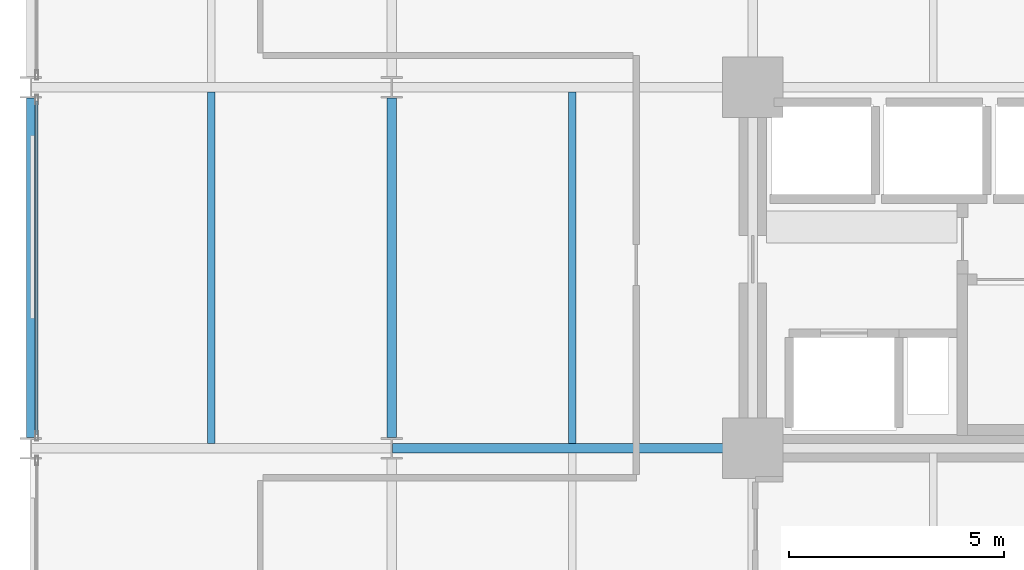
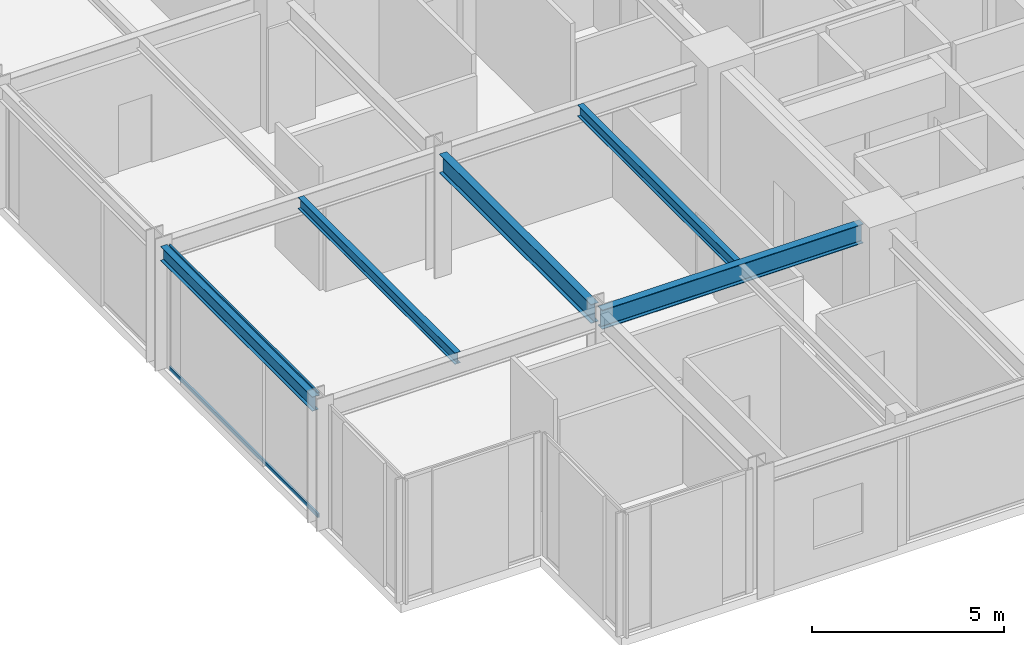
# One storey, part 3 of 24: 5 beams, 2 members, 1 element without a shape of its own.
"""IFC4 building model written with IfcOpenShell, lengths in metres."""

from ifc_helpers import new_model, si_unit, direction, frame, origin, origin_2d, place, context, subcontext, project, spatial, hollow_rectangle, i_section, extrude, material, layer, layer_set, material_profile, profile_set, type_object, element, aggregate, save


model = new_model("IFC4")

# Units and contexts
model_context = context("Model", 3, precision=1e-05, world=origin(), true_north=direction((0.0, 1.0)))
body_context = subcontext(model_context, "Body", "Model", "MODEL_VIEW")
ifc_project = project(units=[si_unit("LENGTHUNIT", "METRE"), si_unit("AREAUNIT", "SQUARE_METRE"), si_unit("VOLUMEUNIT", "CUBIC_METRE"), si_unit("PLANEANGLEUNIT", "RADIAN"), si_unit("MASSUNIT", "GRAM", prefix="KILO")], contexts=[model_context])

# Site, building, storey
site_placement = place(None, origin())
site = spatial("IfcSite", under=ifc_project, at=site_placement, CompositionType="ELEMENT")
building_placement = place(site_placement, origin())
building = spatial("IfcBuilding", under=site, at=building_placement, Name="Nerrivon Quay Data Exchange", CompositionType="ELEMENT")
storey_placement = place(building_placement, frame((0.0, 0.0, 45.800048828125)))
storey = spatial("IfcBuildingStorey", under=building, at=storey_placement, Name="L10", CompositionType="ELEMENT", Elevation=45.800048828125)

# Beams
ifc_material_1 = material(Name="Steel Grade 350", Category="steel")
ifc_material_profile_1 = material_profile(ifc_material_1, i_section(OverallWidth=0.22900390625, OverallDepth=0.612060546875, WebThickness=0.011962890625, FlangeThickness=0.01953125, FilletRadius=0.013916015625, at=origin_2d()), Name="610UB125")
ifc_profile_set_1 = profile_set([ifc_material_profile_1], Name="Steel Grade 350")
beam_type_1 = type_object("IfcBeamType", Name="BM-G1-610UB125", PredefinedType="BEAM", material=ifc_profile_set_1)
beam_1_placement = place(storey_placement, frame((8.4140625, 8.39990234375, 3.618896484375), z_axis=(1.0, 0.0, 0.0), x_axis=(0.0, 1.0, 0.0)))
element("IfcBeam", 1, at=beam_1_placement, inside=storey, type_object=beam_type_1, Name="L10 EW Girder Y=8.4 (8.4..16.8)", PredefinedType="BEAM", context=body_context, shape_type="SweptSolid", body=[
    extrude(i_section(OverallWidth=0.22900390625, OverallDepth=0.612060546875, WebThickness=0.011962890625, FlangeThickness=0.01953125, FilletRadius=0.013916015625, at=origin_2d()), origin(), (0.0, 0.0, 1.0), 7.845947265625),
])
ifc_material_profile_2 = material_profile(ifc_material_1, i_section(OverallWidth=0.22802734375, OverallDepth=0.60205078125, WebThickness=0.010498046875, FlangeThickness=0.014892578125, FilletRadius=0.013916015625, at=origin_2d()), Name="610UB101")
ifc_profile_set_2 = profile_set([ifc_material_profile_2], Name="Steel Grade 350")
beam_type_2 = type_object("IfcBeamType", Name="BM-G2-610UB101", PredefinedType="BEAM", material=ifc_profile_set_2)
beam_2_placement = place(storey_placement, frame((8.39990234375, 8.64990234375, 3.6240234375), z_axis=(0.0, 1.0, 0.0), x_axis=(-1.0, 0.0, 0.0)))
element("IfcBeam", 2, at=beam_2_placement, inside=storey, type_object=beam_type_2, Name="L10 NS Girder X=8.4 (8.4..16.8)", PredefinedType="BEAM", context=body_context, shape_type="SweptSolid", body=[
    extrude(i_section(OverallWidth=0.22802734375, OverallDepth=0.60205078125, WebThickness=0.010498046875, FlangeThickness=0.014892578125, FilletRadius=0.013916015625, at=origin_2d()), origin(), (0.0, 0.0, 1.0), 7.900146484375),
])
ifc_material_profile_3 = material_profile(ifc_material_1, i_section(OverallWidth=0.172119140625, OverallDepth=0.35888671875, WebThickness=0.008056640625, FlangeThickness=0.012939453125, FilletRadius=0.011474609375, at=origin_2d()), Name="360UB56.7")
ifc_profile_set_3 = profile_set([ifc_material_profile_3], Name="Steel Grade 350")
beam_type_3 = type_object("IfcBeamType", Name="BM-J3-360UB57", PredefinedType="JOIST", material=ifc_profile_set_3)
for number, where, z_axis, x_axis, name in (
    (3, (4.199951171875, 8.514404296875, 3.745361328125), (0.0, 1.0, 0.0), (-1.0, 0.0, 0.0), "L10 Secondary Joist X=4.2 (8.4..16.8)"),
    (4, (12.60009765625, 8.514404296875, 3.745361328125), (0.0, 1.0, 0.0), (-1.0, 0.0, 0.0), "L10 Secondary Joist X=12.6 (8.4..16.8)"),
):
    element("IfcBeam", number, at=place(storey_placement, frame(where, z_axis=z_axis, x_axis=x_axis)), inside=storey, type_object=beam_type_3, Name=name, PredefinedType="JOIST", context=body_context, shape_type="SweptSolid", body=[
        extrude(i_section(OverallWidth=0.172119140625, OverallDepth=0.35888671875, WebThickness=0.008056640625, FlangeThickness=0.012939453125, FilletRadius=0.011474609375, at=origin_2d()), origin(), (0.0, 0.0, 1.0), 8.171142578125),
    ])
ifc_material_profile_4 = material_profile(ifc_material_1, i_section(OverallWidth=0.18994140625, OverallDepth=0.4541015625, WebThickness=0.008544921875, FlangeThickness=0.0126953125, FilletRadius=0.011474609375, at=origin_2d()), Name="460UB67.1")
ifc_profile_set_4 = profile_set([ifc_material_profile_4], Name="Steel Grade 350")
beam_type_4 = type_object("IfcBeamType", Name="BM-SP1-460UB67", PredefinedType="SPANDREL", material=ifc_profile_set_4)
beam_3_placement = place(storey_placement, frame((0.0, 8.64990234375, 3.697998046875), z_axis=(0.0, 1.0, 0.0), x_axis=(-1.0, 0.0, 0.0)))
element("IfcBeam", 5, at=beam_3_placement, inside=storey, type_object=beam_type_4, Name="L10 NS Girder X=0.0 (8.4..16.8)", PredefinedType="SPANDREL", context=body_context, shape_type="SweptSolid", body=[
    extrude(i_section(OverallWidth=0.18994140625, OverallDepth=0.4541015625, WebThickness=0.008544921875, FlangeThickness=0.0126953125, FilletRadius=0.011474609375, at=origin_2d()), origin(), (0.0, 0.0, 1.0), 7.900146484375),
])

# Curtain wall, members
ifc_material_2 = material(Name="Anodised aluminium 6063-T6", Category="aluminium")
ifc_layer = layer(ifc_material_2, 0.219970703125)
ifc_layer_set = layer_set([ifc_layer], Name="Anodised aluminium 6063-T6")
curtain_wall_type = type_object("IfcCurtainWallType", Name="CW-SYS-01", PredefinedType="NOTDEFINED", material=ifc_layer_set)
curtain_wall_placement = place(storey_placement, origin())
curtain_wall = element("IfcCurtainWall", 6, at=curtain_wall_placement, inside=storey, type_object=curtain_wall_type, Name="L10 Unitised Curtain Wall 14", PredefinedType="NOTDEFINED")
ifc_material_profile_5 = material_profile(ifc_material_2, hollow_rectangle(XDim=0.06005859375, YDim=0.1201171875, WallThickness=0.003173828125, at=origin_2d()), Name="ALU-TRAN-120x60")
ifc_profile_set_5 = profile_set([ifc_material_profile_5], Name="Anodised aluminium 6063-T6")
member_type = type_object("IfcMemberType", Name="CWT-120x60", PredefinedType="USERDEFINED", material=ifc_profile_set_5)
member_1_placement = place(storey_placement, frame((0.139892578125, 8.72509765625, 0.032470703125), z_axis=(0.0, 1.0, 0.0), x_axis=(-1.0, 0.0, 0.0)))
member_1 = element("IfcMember", 7, at=member_1_placement, type_object=member_type, Name="CW01 transom 1.1", ObjectType="TRANSOM", PredefinedType="USERDEFINED", context=body_context, shape_type="SweptSolid", body=[
    extrude(hollow_rectangle(XDim=0.06005859375, YDim=0.1201171875, WallThickness=0.003173828125, at=origin_2d()), origin(), (0.0, 0.0, 1.0), 7.75),
])
member_2_placement = place(storey_placement, frame((0.139892578125, 8.72509765625, 3.892333984375), z_axis=(0.0, 1.0, 0.0), x_axis=(-1.0, 0.0, 0.0)))
member_2 = element("IfcMember", 8, at=member_2_placement, type_object=member_type, Name="CW01 transom 1.2", ObjectType="TRANSOM", PredefinedType="USERDEFINED", context=body_context, shape_type="SweptSolid", body=[
    extrude(hollow_rectangle(XDim=0.06005859375, YDim=0.1201171875, WallThickness=0.003173828125, at=origin_2d()), origin(), (0.0, 0.0, 1.0), 7.75),
])
aggregate(curtain_wall, [member_1, member_2])

save(model, "model.ifc")
